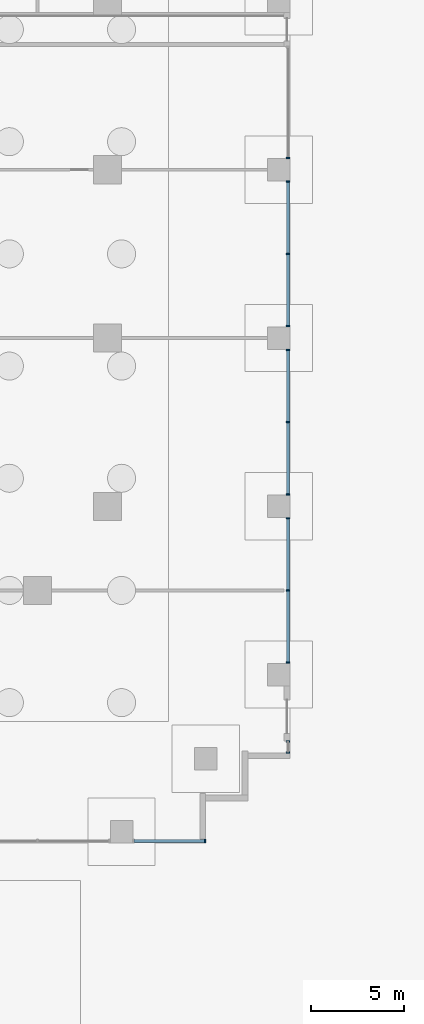
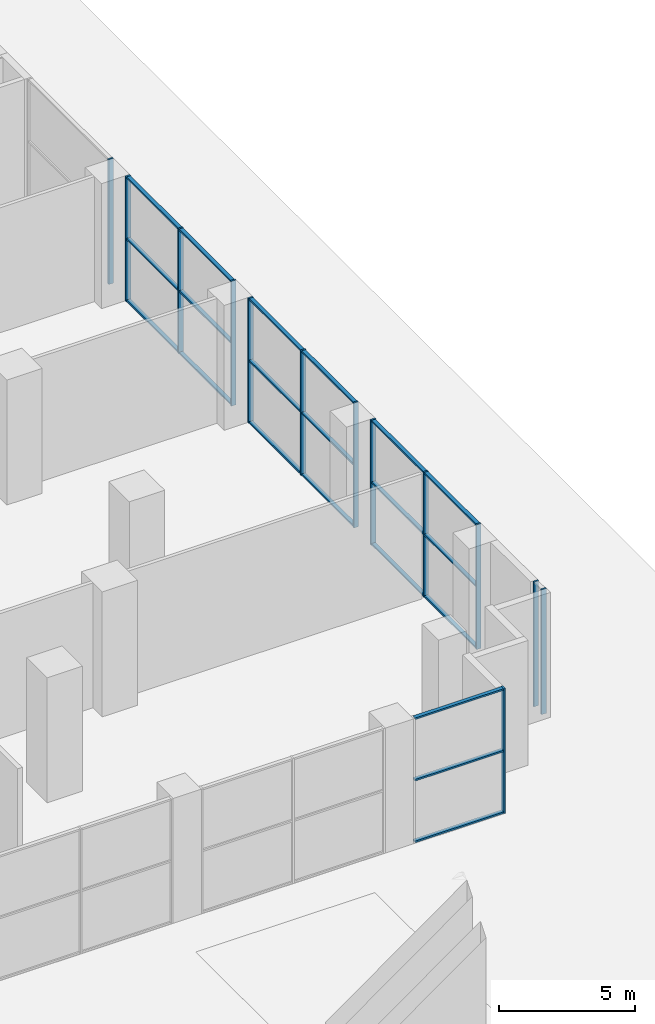
# One storey, part 5 of 20: 34 members, 6 elements without a shape of their own.
"""IFC4 building model written with IfcOpenShell, lengths in metres."""

from ifc_helpers import new_model, si_unit, direction, frame, origin, origin_2d, place, context, subcontext, project, spatial, rectangle, extrude, material, material_profile, profile_set, type_object, element, aggregate, save


model = new_model("IFC4")

# Units and contexts
model_context = context("Model", 3, precision=1e-05, world=origin(), true_north=direction((0.0, 1.0)))
body_context = subcontext(model_context, "Body", "Model", "MODEL_VIEW")
ifc_project = project(units=[si_unit("LENGTHUNIT", "METRE"), si_unit("AREAUNIT", "SQUARE_METRE"), si_unit("VOLUMEUNIT", "CUBIC_METRE"), si_unit("PLANEANGLEUNIT", "RADIAN"), si_unit("MASSUNIT", "GRAM", prefix="KILO")], contexts=[model_context])

# Site, building, storey
site_placement = place(None, origin())
site = spatial("IfcSite", under=ifc_project, at=site_placement, CompositionType="ELEMENT")
building_placement = place(site_placement, origin())
building = spatial("IfcBuilding", under=site, at=building_placement, Name="Orbiselva Terraces", CompositionType="ELEMENT")
storey_placement = place(building_placement, origin())
storey = spatial("IfcBuildingStorey", under=building, at=storey_placement, Name="L00", CompositionType="ELEMENT", Elevation=0.0)

# Curtain wall, member
ifc_material_1 = material(Name="Clear low-e glazing in aluminium frame", Category="aluminium")
curtain_wall_type = type_object("IfcCurtainWallType", Name="ENV-CW-LOBBY", PredefinedType="NOTDEFINED", material=ifc_material_1)
curtain_wall_1_placement = place(storey_placement, origin())
curtain_wall_1 = element("IfcCurtainWall", 1, at=curtain_wall_1_placement, inside=storey, type_object=curtain_wall_type, Name="Curtain wall L00 S", PredefinedType="NOTDEFINED")
ifc_material_2 = material(Name="Anodised aluminium", Category="aluminium")
ifc_material_profile_1 = material_profile(ifc_material_2, rectangle(XDim=0.2, YDim=0.075, at=origin_2d()), Name="AL 75x200")
ifc_profile_set_1 = profile_set([ifc_material_profile_1], Name="Anodised aluminium")
member_type_1 = type_object("IfcMemberType", Name="ENV-CW-LOBBY-MULLION-75x200", PredefinedType="MULLION", material=ifc_profile_set_1)
member_1_placement = place(storey_placement, frame((31.4625, -31.4, 0.0), z_axis=(0.0, 0.0, 1.0), x_axis=(0.0, 1.0, 0.0)))
member_1 = element("IfcMember", 2, at=member_1_placement, type_object=member_type_1, Name="CW1 mullion 2", PredefinedType="MULLION", context=body_context, shape_type="SweptSolid", body=[
    extrude(rectangle(XDim=0.2, YDim=0.075, at=origin_2d()), origin(), (0.0, 0.0, 1.0), 5.6),
])

# Curtain wall, members
curtain_wall_2_placement = place(storey_placement, origin())
curtain_wall_2 = element("IfcCurtainWall", 3, at=curtain_wall_2_placement, inside=storey, type_object=curtain_wall_type, Name="Curtain wall L00 E", PredefinedType="NOTDEFINED")
member_2_placement = place(storey_placement, frame((35.9, -26.6625, 0.0), z_axis=(0.0, 0.0, 1.0), x_axis=(-1.0, 0.0, 0.0)))
member_2 = element("IfcMember", 4, at=member_2_placement, type_object=member_type_1, Name="CW1 mullion 1", PredefinedType="MULLION", context=body_context, shape_type="SweptSolid", body=[
    extrude(rectangle(XDim=0.2, YDim=0.075, at=origin_2d()), origin(), (0.0, 0.0, 1.0), 5.6),
])
member_3_placement = place(storey_placement, frame((35.9, -26.0875, 0.0), z_axis=(0.0, 0.0, 1.0), x_axis=(-1.0, 0.0, 0.0)))
member_3 = element("IfcMember", 5, at=member_3_placement, type_object=member_type_1, Name="CW1 mullion 2", PredefinedType="MULLION", context=body_context, shape_type="SweptSolid", body=[
    extrude(rectangle(XDim=0.2, YDim=0.075, at=origin_2d()), origin(), (0.0, 0.0, 1.0), 5.6),
])
aggregate(curtain_wall_2, [member_2, member_3])

curtain_wall_3_placement = place(storey_placement, origin())
curtain_wall_3 = element("IfcCurtainWall", 6, at=curtain_wall_3_placement, inside=storey, type_object=curtain_wall_type, Name="Curtain wall L00 E", PredefinedType="NOTDEFINED")
member_4_placement = place(storey_placement, frame((35.9, -21.8625, 0.0), z_axis=(0.0, 0.0, 1.0), x_axis=(-1.0, 0.0, 0.0)))
member_4 = element("IfcMember", 7, at=member_4_placement, type_object=member_type_1, Name="CW1 mullion 1", PredefinedType="MULLION", context=body_context, shape_type="SweptSolid", body=[
    extrude(rectangle(XDim=0.2, YDim=0.075, at=origin_2d()), origin(), (0.0, 0.0, 1.0), 5.6),
])
member_5_placement = place(storey_placement, frame((35.9, -18.0, 0.0), z_axis=(0.0, 0.0, 1.0), x_axis=(-1.0, 0.0, 0.0)))
member_5 = element("IfcMember", 8, at=member_5_placement, type_object=member_type_1, Name="CW1 mullion 2", PredefinedType="MULLION", context=body_context, shape_type="SweptSolid", body=[
    extrude(rectangle(XDim=0.2, YDim=0.075, at=origin_2d()), origin(), (0.0, 0.0, 1.0), 5.6),
])
member_6_placement = place(storey_placement, frame((35.9, -14.1375, 0.0), z_axis=(0.0, 0.0, 1.0), x_axis=(-1.0, 0.0, 0.0)))
member_6 = element("IfcMember", 9, at=member_6_placement, type_object=member_type_1, Name="CW1 mullion 3", PredefinedType="MULLION", context=body_context, shape_type="SweptSolid", body=[
    extrude(rectangle(XDim=0.2, YDim=0.075, at=origin_2d()), origin(), (0.0, 0.0, 1.0), 5.6),
])

curtain_wall_4_placement = place(storey_placement, origin())
curtain_wall_4 = element("IfcCurtainWall", 10, at=curtain_wall_4_placement, inside=storey, type_object=curtain_wall_type, Name="Curtain wall L00 E", PredefinedType="NOTDEFINED")
member_7_placement = place(storey_placement, frame((35.9, -12.8625, 0.0), z_axis=(0.0, 0.0, 1.0), x_axis=(-1.0, 0.0, 0.0)))
member_7 = element("IfcMember", 11, at=member_7_placement, type_object=member_type_1, Name="CW1 mullion 1", PredefinedType="MULLION", context=body_context, shape_type="SweptSolid", body=[
    extrude(rectangle(XDim=0.2, YDim=0.075, at=origin_2d()), origin(), (0.0, 0.0, 1.0), 5.6),
])
member_8_placement = place(storey_placement, frame((35.9, -9.0, 0.0), z_axis=(0.0, 0.0, 1.0), x_axis=(-1.0, 0.0, 0.0)))
member_8 = element("IfcMember", 12, at=member_8_placement, type_object=member_type_1, Name="CW1 mullion 2", PredefinedType="MULLION", context=body_context, shape_type="SweptSolid", body=[
    extrude(rectangle(XDim=0.2, YDim=0.075, at=origin_2d()), origin(), (0.0, 0.0, 1.0), 5.6),
])
member_9_placement = place(storey_placement, frame((35.9, -5.1375, 0.0), z_axis=(0.0, 0.0, 1.0), x_axis=(-1.0, 0.0, 0.0)))
member_9 = element("IfcMember", 13, at=member_9_placement, type_object=member_type_1, Name="CW1 mullion 3", PredefinedType="MULLION", context=body_context, shape_type="SweptSolid", body=[
    extrude(rectangle(XDim=0.2, YDim=0.075, at=origin_2d()), origin(), (0.0, 0.0, 1.0), 5.6),
])

curtain_wall_5_placement = place(storey_placement, origin())
curtain_wall_5 = element("IfcCurtainWall", 14, at=curtain_wall_5_placement, inside=storey, type_object=curtain_wall_type, Name="Curtain wall L00 E", PredefinedType="NOTDEFINED")
member_10_placement = place(storey_placement, frame((35.9, -3.8625, 0.0), z_axis=(0.0, 0.0, 1.0), x_axis=(-1.0, 0.0, 0.0)))
member_10 = element("IfcMember", 15, at=member_10_placement, type_object=member_type_1, Name="CW1 mullion 1", PredefinedType="MULLION", context=body_context, shape_type="SweptSolid", body=[
    extrude(rectangle(XDim=0.2, YDim=0.075, at=origin_2d()), origin(), (0.0, 0.0, 1.0), 5.6),
])
member_11_placement = place(storey_placement, frame((35.9, 0.0, 0.0), z_axis=(0.0, 0.0, 1.0), x_axis=(-1.0, 0.0, 0.0)))
member_11 = element("IfcMember", 16, at=member_11_placement, type_object=member_type_1, Name="CW1 mullion 2", PredefinedType="MULLION", context=body_context, shape_type="SweptSolid", body=[
    extrude(rectangle(XDim=0.2, YDim=0.075, at=origin_2d()), origin(), (0.0, 0.0, 1.0), 5.6),
])
member_12_placement = place(storey_placement, frame((35.9, 3.8625, 0.0), z_axis=(0.0, 0.0, 1.0), x_axis=(-1.0, 0.0, 0.0)))
member_12 = element("IfcMember", 17, at=member_12_placement, type_object=member_type_1, Name="CW1 mullion 3", PredefinedType="MULLION", context=body_context, shape_type="SweptSolid", body=[
    extrude(rectangle(XDim=0.2, YDim=0.075, at=origin_2d()), origin(), (0.0, 0.0, 1.0), 5.6),
])

# Curtain wall, member
curtain_wall_6_placement = place(storey_placement, origin())
curtain_wall_6 = element("IfcCurtainWall", 18, at=curtain_wall_6_placement, inside=storey, type_object=curtain_wall_type, Name="Curtain wall L00 E", PredefinedType="NOTDEFINED")
member_13_placement = place(storey_placement, frame((35.9, 5.1375, 0.0), z_axis=(0.0, 0.0, 1.0), x_axis=(-1.0, 0.0, 0.0)))
member_13 = element("IfcMember", 19, at=member_13_placement, type_object=member_type_1, Name="CW1 mullion 1", PredefinedType="MULLION", context=body_context, shape_type="SweptSolid", body=[
    extrude(rectangle(XDim=0.2, YDim=0.075, at=origin_2d()), origin(), (0.0, 0.0, 1.0), 5.6),
])
aggregate(curtain_wall_6, [member_13])

# Member
ifc_material_profile_2 = material_profile(ifc_material_2, rectangle(XDim=0.16, YDim=0.075, at=origin_2d()), Name="AL 75x160")
ifc_profile_set_2 = profile_set([ifc_material_profile_2], Name="Anodised aluminium")
member_type_2 = type_object("IfcMemberType", Name="ENV-CW-LOBBY-TRANSOM-75x160", PredefinedType="USERDEFINED", material=ifc_profile_set_2)
member_14_placement = place(storey_placement, frame((27.675, -31.4, 0.0375), z_axis=(1.0, 0.0, 0.0), x_axis=(0.0, 1.0, 0.0)))
member_14 = element("IfcMember", 20, at=member_14_placement, type_object=member_type_2, Name="CW1 transom 1.1", ObjectType="TRANSOM", PredefinedType="USERDEFINED", context=body_context, shape_type="SweptSolid", body=[
    extrude(rectangle(XDim=0.16, YDim=0.075, at=origin_2d()), origin(), (0.0, 0.0, 1.0), 3.75),
])

member_15_placement = place(storey_placement, frame((27.675, -31.4, 2.8), z_axis=(1.0, 0.0, 0.0), x_axis=(0.0, 1.0, 0.0)))
member_15 = element("IfcMember", 21, at=member_15_placement, type_object=member_type_2, Name="CW1 transom 1.2", ObjectType="TRANSOM", PredefinedType="USERDEFINED", context=body_context, shape_type="SweptSolid", body=[
    extrude(rectangle(XDim=0.16, YDim=0.075, at=origin_2d()), origin(), (0.0, 0.0, 1.0), 3.75),
])

member_16_placement = place(storey_placement, frame((27.675, -31.4, 5.5625), z_axis=(1.0, 0.0, 0.0), x_axis=(0.0, 1.0, 0.0)))
member_16 = element("IfcMember", 22, at=member_16_placement, type_object=member_type_2, Name="CW1 transom 1.3", ObjectType="TRANSOM", PredefinedType="USERDEFINED", context=body_context, shape_type="SweptSolid", body=[
    extrude(rectangle(XDim=0.16, YDim=0.075, at=origin_2d()), origin(), (0.0, 0.0, 1.0), 3.75),
])

aggregate(curtain_wall_1, [member_1, member_14, member_15, member_16])

member_17_placement = place(storey_placement, frame((35.9, -21.825, 0.0375), z_axis=(0.0, 1.0, 0.0), x_axis=(-1.0, 0.0, 0.0)))
member_17 = element("IfcMember", 23, at=member_17_placement, type_object=member_type_2, Name="CW1 transom 1.1", ObjectType="TRANSOM", PredefinedType="USERDEFINED", context=body_context, shape_type="SweptSolid", body=[
    extrude(rectangle(XDim=0.16, YDim=0.075, at=origin_2d()), origin(), (0.0, 0.0, 1.0), 3.7875),
])

member_18_placement = place(storey_placement, frame((35.9, -21.825, 2.8), z_axis=(0.0, 1.0, 0.0), x_axis=(-1.0, 0.0, 0.0)))
member_18 = element("IfcMember", 24, at=member_18_placement, type_object=member_type_2, Name="CW1 transom 1.2", ObjectType="TRANSOM", PredefinedType="USERDEFINED", context=body_context, shape_type="SweptSolid", body=[
    extrude(rectangle(XDim=0.16, YDim=0.075, at=origin_2d()), origin(), (0.0, 0.0, 1.0), 3.7875),
])

member_19_placement = place(storey_placement, frame((35.9, -21.825, 5.5625), z_axis=(0.0, 1.0, 0.0), x_axis=(-1.0, 0.0, 0.0)))
member_19 = element("IfcMember", 25, at=member_19_placement, type_object=member_type_2, Name="CW1 transom 1.3", ObjectType="TRANSOM", PredefinedType="USERDEFINED", context=body_context, shape_type="SweptSolid", body=[
    extrude(rectangle(XDim=0.16, YDim=0.075, at=origin_2d()), origin(), (0.0, 0.0, 1.0), 3.7875),
])

member_20_placement = place(storey_placement, frame((35.9, -17.9625, 0.0375), z_axis=(0.0, 1.0, 0.0), x_axis=(-1.0, 0.0, 0.0)))
member_20 = element("IfcMember", 26, at=member_20_placement, type_object=member_type_2, Name="CW1 transom 2.1", ObjectType="TRANSOM", PredefinedType="USERDEFINED", context=body_context, shape_type="SweptSolid", body=[
    extrude(rectangle(XDim=0.16, YDim=0.075, at=origin_2d()), origin(), (0.0, 0.0, 1.0), 3.7875),
])

member_21_placement = place(storey_placement, frame((35.9, -17.9625, 2.8), z_axis=(0.0, 1.0, 0.0), x_axis=(-1.0, 0.0, 0.0)))
member_21 = element("IfcMember", 27, at=member_21_placement, type_object=member_type_2, Name="CW1 transom 2.2", ObjectType="TRANSOM", PredefinedType="USERDEFINED", context=body_context, shape_type="SweptSolid", body=[
    extrude(rectangle(XDim=0.16, YDim=0.075, at=origin_2d()), origin(), (0.0, 0.0, 1.0), 3.7875),
])

member_22_placement = place(storey_placement, frame((35.9, -17.9625, 5.5625), z_axis=(0.0, 1.0, 0.0), x_axis=(-1.0, 0.0, 0.0)))
member_22 = element("IfcMember", 28, at=member_22_placement, type_object=member_type_2, Name="CW1 transom 2.3", ObjectType="TRANSOM", PredefinedType="USERDEFINED", context=body_context, shape_type="SweptSolid", body=[
    extrude(rectangle(XDim=0.16, YDim=0.075, at=origin_2d()), origin(), (0.0, 0.0, 1.0), 3.7875),
])

aggregate(curtain_wall_3, [member_4, member_5, member_6, member_17, member_18, member_19, member_20, member_21, member_22])

member_23_placement = place(storey_placement, frame((35.9, -12.825, 0.0375), z_axis=(0.0, 1.0, 0.0), x_axis=(-1.0, 0.0, 0.0)))
member_23 = element("IfcMember", 29, at=member_23_placement, type_object=member_type_2, Name="CW1 transom 1.1", ObjectType="TRANSOM", PredefinedType="USERDEFINED", context=body_context, shape_type="SweptSolid", body=[
    extrude(rectangle(XDim=0.16, YDim=0.075, at=origin_2d()), origin(), (0.0, 0.0, 1.0), 3.7875),
])

member_24_placement = place(storey_placement, frame((35.9, -12.825, 2.8), z_axis=(0.0, 1.0, 0.0), x_axis=(-1.0, 0.0, 0.0)))
member_24 = element("IfcMember", 30, at=member_24_placement, type_object=member_type_2, Name="CW1 transom 1.2", ObjectType="TRANSOM", PredefinedType="USERDEFINED", context=body_context, shape_type="SweptSolid", body=[
    extrude(rectangle(XDim=0.16, YDim=0.075, at=origin_2d()), origin(), (0.0, 0.0, 1.0), 3.7875),
])

member_25_placement = place(storey_placement, frame((35.9, -12.825, 5.5625), z_axis=(0.0, 1.0, 0.0), x_axis=(-1.0, 0.0, 0.0)))
member_25 = element("IfcMember", 31, at=member_25_placement, type_object=member_type_2, Name="CW1 transom 1.3", ObjectType="TRANSOM", PredefinedType="USERDEFINED", context=body_context, shape_type="SweptSolid", body=[
    extrude(rectangle(XDim=0.16, YDim=0.075, at=origin_2d()), origin(), (0.0, 0.0, 1.0), 3.7875),
])

member_26_placement = place(storey_placement, frame((35.9, -8.9625, 0.0375), z_axis=(0.0, 1.0, 0.0), x_axis=(-1.0, 0.0, 0.0)))
member_26 = element("IfcMember", 32, at=member_26_placement, type_object=member_type_2, Name="CW1 transom 2.1", ObjectType="TRANSOM", PredefinedType="USERDEFINED", context=body_context, shape_type="SweptSolid", body=[
    extrude(rectangle(XDim=0.16, YDim=0.075, at=origin_2d()), origin(), (0.0, 0.0, 1.0), 3.7875),
])

member_27_placement = place(storey_placement, frame((35.9, -8.9625, 2.8), z_axis=(0.0, 1.0, 0.0), x_axis=(-1.0, 0.0, 0.0)))
member_27 = element("IfcMember", 33, at=member_27_placement, type_object=member_type_2, Name="CW1 transom 2.2", ObjectType="TRANSOM", PredefinedType="USERDEFINED", context=body_context, shape_type="SweptSolid", body=[
    extrude(rectangle(XDim=0.16, YDim=0.075, at=origin_2d()), origin(), (0.0, 0.0, 1.0), 3.7875),
])

member_28_placement = place(storey_placement, frame((35.9, -8.9625, 5.5625), z_axis=(0.0, 1.0, 0.0), x_axis=(-1.0, 0.0, 0.0)))
member_28 = element("IfcMember", 34, at=member_28_placement, type_object=member_type_2, Name="CW1 transom 2.3", ObjectType="TRANSOM", PredefinedType="USERDEFINED", context=body_context, shape_type="SweptSolid", body=[
    extrude(rectangle(XDim=0.16, YDim=0.075, at=origin_2d()), origin(), (0.0, 0.0, 1.0), 3.7875),
])

aggregate(curtain_wall_4, [member_7, member_8, member_9, member_23, member_24, member_25, member_26, member_27, member_28])

member_29_placement = place(storey_placement, frame((35.9, -3.825, 0.0375), z_axis=(0.0, 1.0, 0.0), x_axis=(-1.0, 0.0, 0.0)))
member_29 = element("IfcMember", 35, at=member_29_placement, type_object=member_type_2, Name="CW1 transom 1.1", ObjectType="TRANSOM", PredefinedType="USERDEFINED", context=body_context, shape_type="SweptSolid", body=[
    extrude(rectangle(XDim=0.16, YDim=0.075, at=origin_2d()), origin(), (0.0, 0.0, 1.0), 3.7875),
])

member_30_placement = place(storey_placement, frame((35.9, -3.825, 2.8), z_axis=(0.0, 1.0, 0.0), x_axis=(-1.0, 0.0, 0.0)))
member_30 = element("IfcMember", 36, at=member_30_placement, type_object=member_type_2, Name="CW1 transom 1.2", ObjectType="TRANSOM", PredefinedType="USERDEFINED", context=body_context, shape_type="SweptSolid", body=[
    extrude(rectangle(XDim=0.16, YDim=0.075, at=origin_2d()), origin(), (0.0, 0.0, 1.0), 3.7875),
])

member_31_placement = place(storey_placement, frame((35.9, -3.825, 5.5625), z_axis=(0.0, 1.0, 0.0), x_axis=(-1.0, 0.0, 0.0)))
member_31 = element("IfcMember", 37, at=member_31_placement, type_object=member_type_2, Name="CW1 transom 1.3", ObjectType="TRANSOM", PredefinedType="USERDEFINED", context=body_context, shape_type="SweptSolid", body=[
    extrude(rectangle(XDim=0.16, YDim=0.075, at=origin_2d()), origin(), (0.0, 0.0, 1.0), 3.7875),
])

member_32_placement = place(storey_placement, frame((35.9, 0.0375, 0.0375), z_axis=(0.0, 1.0, 0.0), x_axis=(-1.0, 0.0, 0.0)))
member_32 = element("IfcMember", 38, at=member_32_placement, type_object=member_type_2, Name="CW1 transom 2.1", ObjectType="TRANSOM", PredefinedType="USERDEFINED", context=body_context, shape_type="SweptSolid", body=[
    extrude(rectangle(XDim=0.16, YDim=0.075, at=origin_2d()), origin(), (0.0, 0.0, 1.0), 3.7875),
])

member_33_placement = place(storey_placement, frame((35.9, 0.0375, 2.8), z_axis=(0.0, 1.0, 0.0), x_axis=(-1.0, 0.0, 0.0)))
member_33 = element("IfcMember", 39, at=member_33_placement, type_object=member_type_2, Name="CW1 transom 2.2", ObjectType="TRANSOM", PredefinedType="USERDEFINED", context=body_context, shape_type="SweptSolid", body=[
    extrude(rectangle(XDim=0.16, YDim=0.075, at=origin_2d()), origin(), (0.0, 0.0, 1.0), 3.7875),
])

member_34_placement = place(storey_placement, frame((35.9, 0.0375, 5.5625), z_axis=(0.0, 1.0, 0.0), x_axis=(-1.0, 0.0, 0.0)))
member_34 = element("IfcMember", 40, at=member_34_placement, type_object=member_type_2, Name="CW1 transom 2.3", ObjectType="TRANSOM", PredefinedType="USERDEFINED", context=body_context, shape_type="SweptSolid", body=[
    extrude(rectangle(XDim=0.16, YDim=0.075, at=origin_2d()), origin(), (0.0, 0.0, 1.0), 3.7875),
])

aggregate(curtain_wall_5, [member_10, member_11, member_12, member_29, member_30, member_31, member_32, member_33, member_34])

save(model, "model.ifc")
